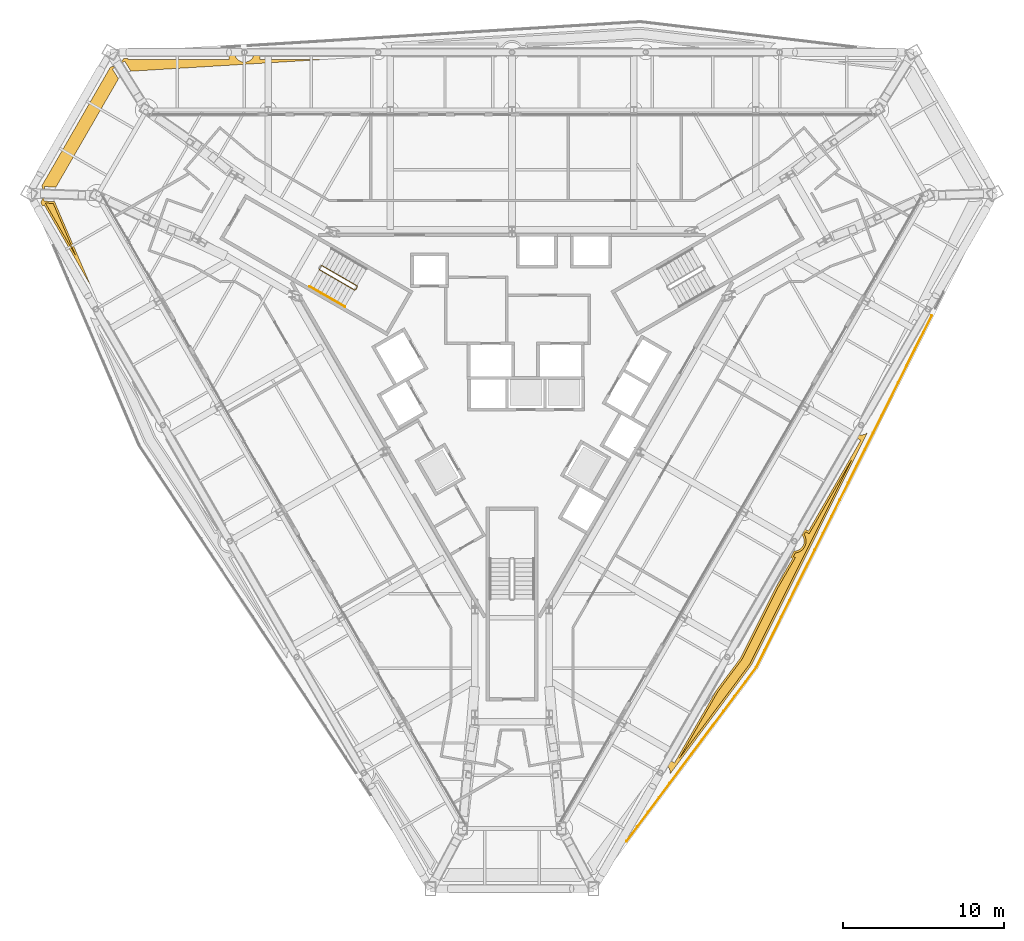
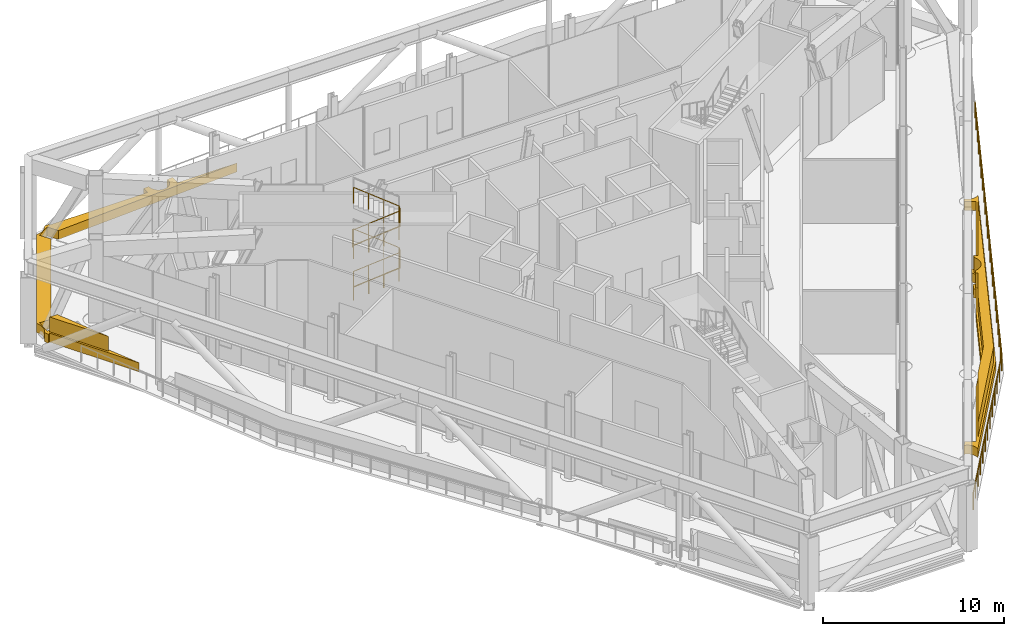
# One storey, part 22 of 25: 4 coverings, 4 railings.
"""IFC4 building model written with IfcOpenShell, lengths in metres."""

from ifc_helpers import new_model, si_unit, direction, frame, origin, origin_2d, place, context, subcontext, project, spatial, polyline, circle, outline, extrude, material, type_object, element, save


model = new_model("IFC4")

# Units and contexts
model_context = context("Model", 3, precision=1e-05, world=origin(), true_north=direction((0.0, 1.0)))
body_context = subcontext(model_context, "Body", "Model", "MODEL_VIEW")
ifc_project = project(units=[si_unit("LENGTHUNIT", "METRE"), si_unit("AREAUNIT", "SQUARE_METRE"), si_unit("VOLUMEUNIT", "CUBIC_METRE"), si_unit("PLANEANGLEUNIT", "RADIAN"), si_unit("MASSUNIT", "GRAM", prefix="KILO")], contexts=[model_context])

# Site, building, storey
site_placement = place(None, origin())
site = spatial("IfcSite", under=ifc_project, at=site_placement, CompositionType="ELEMENT")
building_placement = place(site_placement, origin())
building = spatial("IfcBuilding", under=site, at=building_placement, Name="Verrane Prism Tower", CompositionType="ELEMENT")
storey_placement = place(building_placement, frame((0.0, 0.0, 143.199951171875)))
storey = spatial("IfcBuildingStorey", under=building, at=storey_placement, Name="L35", CompositionType="ELEMENT", Elevation=143.199951171875)

# Coverings
ifc_material_1 = material(Name="Planting medium in stone kerb", Category="masonry")
covering_type_1 = type_object("IfcCoveringType", Name="Planter bed 600", PredefinedType="USERDEFINED", material=ifc_material_1)
covering_1_placement = place(storey_placement, origin())
element("IfcCovering", 1, at=covering_1_placement, inside=storey, type_object=covering_type_1, Name="Planter bed L35 2", ObjectType="PLANTER", PredefinedType="USERDEFINED", context=body_context, shape_type="SweptSolid", body=[
    extrude(outline(polyline([(22.021728515625, -3.381103515625), (21.97021484375, -3.419189453125), (21.918701171875, -3.4501953125), (21.864501953125, -3.475830078125), (21.807861328125, -3.49609375), (21.74951171875, -3.5107421875), (21.68994140625, -3.51953125), (21.6298828125, -3.522705078125), (21.570068359375, -3.51953125), (21.510498046875, -3.5107421875), (21.4521484375, -3.49609375), (21.3955078125, -3.475830078125), (21.34130859375, -3.4501953125), (21.289794921875, -3.419189453125), (21.241455078125, -3.383544921875), (21.197021484375, -3.343017578125), (21.16455078125, -3.3076171875), (21.0517578125, -3.533447265625), (21.6064453125, -3.852783203125), (18.366455078125, -9.4794921875), (18.14794921875, -9.353759765625), (17.96728515625, -9.71630859375), (17.999267578125, -9.759765625), (18.0302734375, -9.811279296875), (18.055908203125, -9.865478515625), (18.076171875, -9.922119140625), (18.0908203125, -9.98046875), (18.099609375, -10.0400390625), (18.1025390625, -10.10009765625), (18.099609375, -10.159912109375), (18.0908203125, -10.219482421875), (18.076171875, -10.27783203125), (18.055908203125, -10.33447265625), (18.0302734375, -10.388916015625), (17.999267578125, -10.440185546875), (17.96337890625, -10.488525390625), (17.923095703125, -10.533203125), (17.878662109375, -10.573486328125), (17.830322265625, -10.609375), (17.77880859375, -10.64013671875), (17.724365234375, -10.666015625), (17.667724609375, -10.686279296875), (17.609619140625, -10.70068359375), (17.550048828125, -10.709716796875), (17.489990234375, -10.712646484375), (17.470703125, -10.711669921875), (17.27587890625, -11.101806640625), (17.391845703125, -11.1689453125), (16.299560546875, -13.058837890625), (14.168212890625, -17.330810546875), (12.671630859375, -19.33544921875), (10.0673828125, -23.84130859375), (9.536865234375, -23.53466796875), (9.2958984375, -23.857177734375), (9.3095703125, -23.859130859375), (9.367919921875, -23.873779296875), (9.42431640625, -23.89404296875), (9.478759765625, -23.919921875), (9.5302734375, -23.95068359375), (9.57861328125, -23.986572265625), (9.623046875, -24.02685546875), (9.66357421875, -24.0712890625), (9.69921875, -24.11962890625), (9.730224609375, -24.171142578125), (9.755859375, -24.2255859375), (9.776123046875, -24.2822265625), (9.790771484375, -24.340576171875), (9.799560546875, -24.39990234375), (9.802490234375, -24.4599609375), (9.799560546875, -24.52001953125), (14.852294921875, -17.751953125), (22.021728515625, -3.381103515625)])), origin(), (0.0, 0.0, 1.0), 0.60009765625),
])
covering_2_placement = place(storey_placement, origin())
element("IfcCovering", 2, at=covering_2_placement, inside=storey, type_object=covering_type_1, Name="Planter bed L35 5", ObjectType="PLANTER", PredefinedType="USERDEFINED", context=body_context, shape_type="SweptSolid", body=[
    extrude(outline(polyline([(-29.093017578125, 10.656494140625), (-28.98046875, 10.721435546875), (-26.142578125, 5.799560546875), (-26.13623046875, 5.802734375), (-28.345703125, 10.943603515625), (-28.995361328125, 10.966796875), (-28.96337890625, 11.8662109375), (-28.253173828125, 11.8408203125), (-24.382080078125, 18.5458984375), (-24.76171875, 19.152587890625), (-23.998779296875, 19.630126953125), (-23.61376953125, 19.0146484375), (-11.8427734375, 19.7314453125), (-11.843017578125, 19.739990234375), (-15.605712890625, 19.739990234375), (-15.605712890625, 20.3037109375), (-15.97509765625, 20.28125), (-15.970458984375, 20.25), (-15.96728515625, 20.18994140625), (-15.970458984375, 20.1298828125), (-15.979248046875, 20.070556640625), (-15.993896484375, 20.01220703125), (-16.01416015625, 19.95556640625), (-16.039794921875, 19.901123046875), (-16.07080078125, 19.849609375), (-16.1064453125, 19.801513671875), (-16.14697265625, 19.7568359375), (-16.19140625, 19.716552734375), (-16.23974609375, 19.6806640625), (-16.291259765625, 19.64990234375), (-16.345703125, 19.6240234375), (-16.402099609375, 19.603759765625), (-16.46044921875, 19.589111328125), (-16.52001953125, 19.580322265625), (-16.580078125, 19.577392578125), (-16.639892578125, 19.580322265625), (-16.699462890625, 19.589111328125), (-16.7578125, 19.603759765625), (-16.814453125, 19.6240234375), (-16.868896484375, 19.64990234375), (-16.92041015625, 19.6806640625), (-16.968505859375, 19.716552734375), (-17.01318359375, 19.7568359375), (-17.053466796875, 19.801513671875), (-17.08935546875, 19.849609375), (-17.1201171875, 19.901123046875), (-17.14599609375, 19.95556640625), (-17.166259765625, 20.01220703125), (-17.180908203125, 20.070556640625), (-17.189697265625, 20.1298828125), (-17.192626953125, 20.18994140625), (-17.191650390625, 20.207275390625), (-17.5341796875, 20.186279296875), (-17.5341796875, 19.739990234375), (-23.77880859375, 19.739990234375), (-23.77880859375, 19.805908203125), (-24.07568359375, 19.787841796875), (-24.086181640625, 19.765625), (-24.131591796875, 19.68994140625), (-24.184326171875, 19.618896484375), (-24.24365234375, 19.5537109375), (-24.30908203125, 19.494384765625), (-24.3798828125, 19.441650390625), (-24.455810546875, 19.396240234375), (-24.53564453125, 19.3583984375), (-24.61865234375, 19.328857421875), (-24.704345703125, 19.307373046875), (-24.791748046875, 19.294189453125), (-24.8759765625, 19.290283203125), (-27.7529296875, 14.30712890625), (-28.85546875, 12.395263671875), (-28.8564453125, 12.395751953125), (-29.14208984375, 11.90087890625), (-29.126220703125, 11.874267578125), (-29.08837890625, 11.79443359375), (-29.058837890625, 11.711181640625), (-29.037353515625, 11.62548828125), (-29.0244140625, 11.5380859375), (-29.02001953125, 11.449951171875), (-29.0244140625, 11.36181640625), (-29.037353515625, 11.2744140625), (-29.058837890625, 11.188720703125), (-29.08837890625, 11.105712890625), (-29.126220703125, 11.025634765625), (-29.171630859375, 10.949951171875), (-29.20166015625, 10.909423828125), (-29.093017578125, 10.656494140625)])), origin(), (0.0, 0.0, 1.0), 0.60009765625),
])
ifc_material_2 = material(Name="Planted shrubs and grasses", Category="other")
covering_type_2 = type_object("IfcCoveringType", Name="Planting mass 1000", PredefinedType="USERDEFINED", material=ifc_material_2)
covering_3_placement = place(storey_placement, frame((0.0, 0.0, 0.60009765625)))
element("IfcCovering", 3, at=covering_3_placement, inside=storey, type_object=covering_type_2, Name="Planting L35 2", ObjectType="PLANTING", PredefinedType="USERDEFINED", context=body_context, shape_type="SweptSolid", body=[
    extrude(outline(polyline([(14.74951171875, -17.688720703125), (21.05224609375, -5.055908203125), (18.41064453125, -9.6435546875), (18.198486328125, -9.521484375), (18.106689453125, -9.705322265625), (18.13623046875, -9.754638671875), (18.1669921875, -9.819580078125), (18.191162109375, -9.88720703125), (18.20849609375, -9.95703125), (18.21923828125, -10.0283203125), (18.22265625, -10.10009765625), (18.21923828125, -10.171875), (18.20849609375, -10.242919921875), (18.191162109375, -10.312744140625), (18.1669921875, -10.38037109375), (18.13623046875, -10.4453125), (18.09912109375, -10.507080078125), (18.056396484375, -10.564697265625), (18.008056640625, -10.6181640625), (17.954833984375, -10.66650390625), (17.897216796875, -10.709228515625), (17.83544921875, -10.74609375), (17.7705078125, -10.77685546875), (17.70263671875, -10.80126953125), (17.6328125, -10.818603515625), (17.561767578125, -10.8291015625), (17.545654296875, -10.830078125), (17.43359375, -11.054443359375), (17.555908203125, -11.125), (16.4052734375, -13.11572265625), (14.27099609375, -17.393798828125), (12.772216796875, -19.401611328125), (10.37548828125, -23.5478515625), (14.74951171875, -17.688720703125)])), origin(), (0.0, 0.0, 1.0), 1.0),
])
covering_4_placement = place(storey_placement, frame((0.0, 0.0, 0.60009765625)))
element("IfcCovering", 4, at=covering_4_placement, inside=storey, type_object=covering_type_2, Name="Planting L35 5", ObjectType="PLANTING", PredefinedType="USERDEFINED", context=body_context, shape_type="SweptSolid", body=[
    extrude(outline(polyline([(-27.03076171875, 7.580078125), (-28.42578125, 10.826416015625), (-28.91259765625, 10.84375), (-27.03076171875, 7.580078125)])), origin(), (0.0, 0.0, 1.0), 1.0),
])

# Railings
ifc_material_3 = material(Name="Steel A36 rail and posts, no infill", Category="steel")
railing_type_1 = type_object("IfcRailingType", Name="Stair guard 1100 steel rail and posts", PredefinedType="GUARDRAIL", material=ifc_material_3)
railing_1_placement = place(storey_placement, frame((-11.939453125, 6.72021484375, 0.14013671875)))
element("IfcRailing", 5, at=railing_1_placement, inside=storey, type_object=railing_type_1, Name="Stair 2 guard", PredefinedType="GUARDRAIL", context=body_context, shape_type="SweptSolid", body=[
    extrude(circle(Radius=0.02392578125, at=origin_2d()), frame((0.0, 0.0, 1.076171875), z_axis=(0.77459271029, -0.44721702403, 0.44721702403), x_axis=(0.500004791531, 0.866022637375, 0.0)), (0.0, 0.0, 1.0), 2.8173828125),
    extrude(circle(Radius=0.02392578125, at=origin_2d()), frame((2.182373046875, -1.260009765625, 2.3359375), z_axis=(0.965715946433, 0.259601060869, 0.0), x_axis=(-0.259601060869, 0.965715946433, 0.0)), (0.0, 0.0, 1.0), 0.070556640625),
    extrude(circle(Radius=0.02392578125, at=origin_2d()), frame((2.25048828125, -1.24169921875, 2.3359375), z_axis=(0.500603037456, 0.865676959893, 0.0), x_axis=(-0.865676959893, 0.500603037456, 0.0)), (0.0, 0.0, 1.0), 0.199951171875),
    extrude(circle(Radius=0.02392578125, at=origin_2d()), frame((2.3505859375, -1.068603515625, 2.3359375), z_axis=(-0.11679551272, 0.436036580821, 0.892317717181), x_axis=(-0.965948051503, -0.258736085224, 0.0)), (0.0, 0.0, 1.0), 0.15673828125),
    extrude(circle(Radius=0.02392578125, at=origin_2d()), frame((2.332275390625, -1.000244140625, 2.47607421875), z_axis=(-0.77459271029, 0.44721702403, 0.44721702403), x_axis=(-0.500004791531, -0.866022637375, 0.0)), (0.0, 0.0, 1.0), 2.8173828125),
    extrude(circle(Radius=0.02392578125, at=origin_2d()), frame((0.14990234375, 0.259765625, 3.73583984375), z_axis=(-0.659656118156, -0.751567565678, 0.0), x_axis=(0.751567565678, -0.659656118156, 0.0)), (0.0, 0.0, 1.0), 0.2548828125),
    extrude(circle(Radius=0.02392578125, at=origin_2d()), frame((-0.018310546875, 0.068115234375, 3.73583984375), z_axis=(0.499158860599, 0.866510491504, 0.0), x_axis=(-0.866510491504, 0.499158860599, 0.0)), (0.0, 0.0, 1.0), 0.199951171875),
    extrude(circle(Radius=0.02392578125, at=origin_2d()), frame((0.08154296875, 0.241455078125, 3.73583984375), z_axis=(-0.280483573926, -0.830533696446, 0.481188885808), x_axis=(0.947430582667, -0.3199613899, 0.0)), (0.0, 0.0, 1.0), 0.290771484375),
    extrude(circle(Radius=0.02392578125, at=origin_2d()), frame((0.0, 0.0, 3.8759765625), z_axis=(0.77459271029, -0.44721702403, 0.44721702403), x_axis=(0.500004791531, 0.866022637375, 0.0)), (0.0, 0.0, 1.0), 2.8173828125),
    extrude(circle(Radius=0.02392578125, at=origin_2d()), frame((2.182373046875, -1.260009765625, 5.1357421875), z_axis=(0.965715946433, 0.259601060869, 0.0), x_axis=(-0.259601060869, 0.965715946433, 0.0)), (0.0, 0.0, 1.0), 0.070556640625),
    extrude(circle(Radius=0.02392578125, at=origin_2d()), frame((2.25048828125, -1.24169921875, 5.1357421875), z_axis=(0.500603037456, 0.865676959893, 0.0), x_axis=(-0.865676959893, 0.500603037456, 0.0)), (0.0, 0.0, 1.0), 0.199951171875),
    extrude(circle(Radius=0.02392578125, at=origin_2d()), frame((2.3505859375, -1.068603515625, 5.1357421875), z_axis=(-0.116633412166, 0.43543140542, 0.892634381111), x_axis=(-0.965948051503, -0.258736085224, 0.0)), (0.0, 0.0, 1.0), 0.156982421875),
    extrude(circle(Radius=0.02392578125, at=origin_2d()), frame((2.332275390625, -1.000244140625, 5.27587890625), z_axis=(-0.77459271029, 0.44721702403, 0.44721702403), x_axis=(-0.500004791531, -0.866022637375, 0.0)), (0.0, 0.0, 1.0), 2.8173828125),
    extrude(circle(Radius=0.02099609375, at=origin_2d()), origin(), (0.0, 0.0, 1.0), 1.052001953125),
    extrude(circle(Radius=0.02099609375, at=origin_2d()), frame((0.7275390625, -0.419921875, 0.419921875)), (0.0, 0.0, 1.0), 1.052001953125),
    extrude(circle(Radius=0.02099609375, at=origin_2d()), frame((1.454833984375, -0.840087890625, 0.840087890625)), (0.0, 0.0, 1.0), 1.052001953125),
    extrude(circle(Radius=0.02099609375, at=origin_2d()), frame((2.182373046875, -1.260009765625, 1.260009765625)), (0.0, 0.0, 1.0), 1.052001953125),
    extrude(circle(Radius=0.02099609375, at=origin_2d()), frame((2.25048828125, -1.24169921875, 1.260009765625)), (0.0, 0.0, 1.0), 1.052001953125),
    extrude(circle(Radius=0.02099609375, at=origin_2d()), frame((2.3505859375, -1.068603515625, 1.260009765625)), (0.0, 0.0, 1.0), 1.052001953125),
    extrude(circle(Radius=0.02099609375, at=origin_2d()), frame((2.332275390625, -1.000244140625, 1.39990234375)), (0.0, 0.0, 1.0), 1.052001953125),
    extrude(circle(Radius=0.02099609375, at=origin_2d()), frame((1.604736328125, -0.580322265625, 1.81982421875)), (0.0, 0.0, 1.0), 1.052001953125),
    extrude(circle(Radius=0.02099609375, at=origin_2d()), frame((0.87744140625, -0.16015625, 2.239990234375)), (0.0, 0.0, 1.0), 1.052001953125),
    extrude(circle(Radius=0.02099609375, at=origin_2d()), frame((0.14990234375, 0.259765625, 2.659912109375)), (0.0, 0.0, 1.0), 1.052001953125),
    extrude(circle(Radius=0.02099609375, at=origin_2d()), frame((-0.018310546875, 0.068115234375, 2.659912109375)), (0.0, 0.0, 1.0), 1.052001953125),
    extrude(circle(Radius=0.02099609375, at=origin_2d()), frame((0.08154296875, 0.241455078125, 2.659912109375)), (0.0, 0.0, 1.0), 1.052001953125),
    extrude(circle(Radius=0.02099609375, at=origin_2d()), frame((0.0, 0.0, 2.7998046875)), (0.0, 0.0, 1.0), 1.052001953125),
    extrude(circle(Radius=0.02099609375, at=origin_2d()), frame((0.7275390625, -0.419921875, 3.2197265625)), (0.0, 0.0, 1.0), 1.052001953125),
    extrude(circle(Radius=0.02099609375, at=origin_2d()), frame((1.454833984375, -0.840087890625, 3.639892578125)), (0.0, 0.0, 1.0), 1.052001953125),
    extrude(circle(Radius=0.02099609375, at=origin_2d()), frame((2.182373046875, -1.260009765625, 4.059814453125)), (0.0, 0.0, 1.0), 1.052001953125),
    extrude(circle(Radius=0.02099609375, at=origin_2d()), frame((2.25048828125, -1.24169921875, 4.059814453125)), (0.0, 0.0, 1.0), 1.052001953125),
    extrude(circle(Radius=0.02099609375, at=origin_2d()), frame((2.3505859375, -1.068603515625, 4.059814453125)), (0.0, 0.0, 1.0), 1.052001953125),
    extrude(circle(Radius=0.02099609375, at=origin_2d()), frame((2.332275390625, -1.000244140625, 4.199951171875)), (0.0, 0.0, 1.0), 1.052001953125),
    extrude(circle(Radius=0.02099609375, at=origin_2d()), frame((1.604736328125, -0.580322265625, 4.619873046875)), (0.0, 0.0, 1.0), 1.052001953125),
    extrude(circle(Radius=0.02099609375, at=origin_2d()), frame((0.87744140625, -0.16015625, 5.0400390625)), (0.0, 0.0, 1.0), 1.052001953125),
    extrude(circle(Radius=0.02099609375, at=origin_2d()), frame((0.14990234375, 0.259765625, 5.4599609375)), (0.0, 0.0, 1.0), 1.052001953125),
])
ifc_material_4 = material(Name="Steel A36 tube", Category="steel")
railing_type_2 = type_object("IfcRailingType", Name="Stair handrail 900 steel tube", PredefinedType="HANDRAIL", material=ifc_material_4)
for number, where, name in (
    (6, (-12.53955078125, 5.680908203125, 0.14013671875), "Stair 2 handrail"),
    (7, (-12.53955078125, 5.680908203125, 2.93994140625), "Stair 2 handrail"),
):
    element("IfcRailing", number, at=place(storey_placement, frame(where)), inside=storey, type_object=railing_type_2, Name=name, PredefinedType="HANDRAIL", context=body_context, shape_type="SweptSolid", body=[
        extrude(circle(Radius=0.02392578125, at=origin_2d()), frame((0.0, 0.0, 0.8759765625), z_axis=(0.77459271029, -0.44721702403, 0.44721702403), x_axis=(0.500004791531, 0.866022637375, 0.0)), (0.0, 0.0, 1.0), 2.8173828125),
        extrude(circle(Radius=0.02099609375, at=origin_2d()), origin(), (0.0, 0.0, 1.0), 0.851806640625),
        extrude(circle(Radius=0.02099609375, at=origin_2d()), frame((0.7275390625, -0.419921875, 0.419921875)), (0.0, 0.0, 1.0), 0.851806640625),
        extrude(circle(Radius=0.02099609375, at=origin_2d()), frame((1.454833984375, -0.840087890625, 0.840087890625)), (0.0, 0.0, 1.0), 0.851806640625),
        extrude(circle(Radius=0.02099609375, at=origin_2d()), frame((2.182373046875, -1.260009765625, 1.260009765625)), (0.0, 0.0, 1.0), 0.851806640625),
    ])
ifc_material_5 = material(Name="Stainless steel and laminated glass", Category="steel")
railing_type_3 = type_object("IfcRailingType", Name="Terrace guard 1100", PredefinedType="GUARDRAIL", material=ifc_material_5)
railing_2_placement = place(storey_placement, frame((7.09375, -28.6962890625, 0.0)))
element("IfcRailing", 8, at=railing_2_placement, inside=storey, type_object=railing_type_3, Name="Terrace guard L35 5", PredefinedType="GUARDRAIL", context=body_context, shape_type="SweptSolid", body=[
    extrude(circle(Radius=0.02392578125, at=origin_2d()), frame((0.0, 0.0, 1.076171875), z_axis=(0.598219878274, 0.801332001881, 0.0), x_axis=(-0.801332001881, 0.598219878274, 0.0)), (0.0, 0.0, 1.0), 13.440673828125),
    extrude(circle(Radius=0.02392578125, at=origin_2d()), frame((8.04052734375, 10.7705078125, 1.076171875), z_axis=(0.446427508351, 0.89481980297, 0.0), x_axis=(-0.89481980297, 0.446427508351, 0.0)), (0.0, 0.0, 1.0), 24.3544921875),
    extrude(circle(Radius=0.02099609375, at=origin_2d()), origin(), (0.0, 0.0, 1.0), 1.052001953125),
    extrude(circle(Radius=0.02099609375, at=origin_2d()), frame((0.669921875, 0.8974609375, 0.0)), (0.0, 0.0, 1.0), 1.052001953125),
    extrude(circle(Radius=0.02099609375, at=origin_2d()), frame((1.340087890625, 1.795166015625, 0.0)), (0.0, 0.0, 1.0), 1.052001953125),
    extrude(circle(Radius=0.02099609375, at=origin_2d()), frame((2.01025390625, 2.692626953125, 0.0)), (0.0, 0.0, 1.0), 1.052001953125),
    extrude(circle(Radius=0.02099609375, at=origin_2d()), frame((2.68017578125, 3.590087890625, 0.0)), (0.0, 0.0, 1.0), 1.052001953125),
    extrude(circle(Radius=0.02099609375, at=origin_2d()), frame((3.35009765625, 4.48779296875, 0.0)), (0.0, 0.0, 1.0), 1.052001953125),
    extrude(circle(Radius=0.02099609375, at=origin_2d()), frame((4.020263671875, 5.38525390625, 0.0)), (0.0, 0.0, 1.0), 1.052001953125),
    extrude(circle(Radius=0.02099609375, at=origin_2d()), frame((4.6904296875, 6.28271484375, 0.0)), (0.0, 0.0, 1.0), 1.052001953125),
    extrude(circle(Radius=0.02099609375, at=origin_2d()), frame((5.3603515625, 7.180419921875, 0.0)), (0.0, 0.0, 1.0), 1.052001953125),
    extrude(circle(Radius=0.02099609375, at=origin_2d()), frame((6.0302734375, 8.077880859375, 0.0)), (0.0, 0.0, 1.0), 1.052001953125),
    extrude(circle(Radius=0.02099609375, at=origin_2d()), frame((6.700439453125, 8.975341796875, 0.0)), (0.0, 0.0, 1.0), 1.052001953125),
    extrude(circle(Radius=0.02099609375, at=origin_2d()), frame((7.37060546875, 9.873046875, 0.0)), (0.0, 0.0, 1.0), 1.052001953125),
    extrude(circle(Radius=0.02099609375, at=origin_2d()), frame((8.04052734375, 10.7705078125, 0.0)), (0.0, 0.0, 1.0), 1.052001953125),
    extrude(circle(Radius=0.02099609375, at=origin_2d()), frame((8.558349609375, 11.808349609375, 0.0)), (0.0, 0.0, 1.0), 1.052001953125),
    extrude(circle(Radius=0.02099609375, at=origin_2d()), frame((9.075927734375, 12.845947265625, 0.0)), (0.0, 0.0, 1.0), 1.052001953125),
    extrude(circle(Radius=0.02099609375, at=origin_2d()), frame((9.59375, 13.8837890625, 0.0)), (0.0, 0.0, 1.0), 1.052001953125),
    extrude(circle(Radius=0.02099609375, at=origin_2d()), frame((10.111572265625, 14.921630859375, 0.0)), (0.0, 0.0, 1.0), 1.052001953125),
    extrude(circle(Radius=0.02099609375, at=origin_2d()), frame((10.629150390625, 15.959228515625, 0.0)), (0.0, 0.0, 1.0), 1.052001953125),
    extrude(circle(Radius=0.02099609375, at=origin_2d()), frame((11.14697265625, 16.9970703125, 0.0)), (0.0, 0.0, 1.0), 1.052001953125),
    extrude(circle(Radius=0.02099609375, at=origin_2d()), frame((11.664794921875, 18.034912109375, 0.0)), (0.0, 0.0, 1.0), 1.052001953125),
    extrude(circle(Radius=0.02099609375, at=origin_2d()), frame((12.182373046875, 19.072509765625, 0.0)), (0.0, 0.0, 1.0), 1.052001953125),
    extrude(circle(Radius=0.02099609375, at=origin_2d()), frame((12.7001953125, 20.1103515625, 0.0)), (0.0, 0.0, 1.0), 1.052001953125),
    extrude(circle(Radius=0.02099609375, at=origin_2d()), frame((13.218017578125, 21.148193359375, 0.0)), (0.0, 0.0, 1.0), 1.052001953125),
    extrude(circle(Radius=0.02099609375, at=origin_2d()), frame((13.735595703125, 22.185791015625, 0.0)), (0.0, 0.0, 1.0), 1.052001953125),
    extrude(circle(Radius=0.02099609375, at=origin_2d()), frame((14.25341796875, 23.2236328125, 0.0)), (0.0, 0.0, 1.0), 1.052001953125),
    extrude(circle(Radius=0.02099609375, at=origin_2d()), frame((14.771240234375, 24.261474609375, 0.0)), (0.0, 0.0, 1.0), 1.052001953125),
    extrude(circle(Radius=0.02099609375, at=origin_2d()), frame((15.288818359375, 25.299072265625, 0.0)), (0.0, 0.0, 1.0), 1.052001953125),
    extrude(circle(Radius=0.02099609375, at=origin_2d()), frame((15.806640625, 26.3369140625, 0.0)), (0.0, 0.0, 1.0), 1.052001953125),
    extrude(circle(Radius=0.02099609375, at=origin_2d()), frame((16.324462890625, 27.374755859375, 0.0)), (0.0, 0.0, 1.0), 1.052001953125),
    extrude(circle(Radius=0.02099609375, at=origin_2d()), frame((16.842041015625, 28.412353515625, 0.0)), (0.0, 0.0, 1.0), 1.052001953125),
    extrude(circle(Radius=0.02099609375, at=origin_2d()), frame((17.35986328125, 29.4501953125, 0.0)), (0.0, 0.0, 1.0), 1.052001953125),
    extrude(circle(Radius=0.02099609375, at=origin_2d()), frame((17.877685546875, 30.488037109375, 0.0)), (0.0, 0.0, 1.0), 1.052001953125),
    extrude(circle(Radius=0.02099609375, at=origin_2d()), frame((18.395263671875, 31.525634765625, 0.0)), (0.0, 0.0, 1.0), 1.052001953125),
    extrude(circle(Radius=0.02099609375, at=origin_2d()), frame((18.9130859375, 32.5634765625, 0.0)), (0.0, 0.0, 1.0), 1.052001953125),
])

save(model, "model.ifc")
